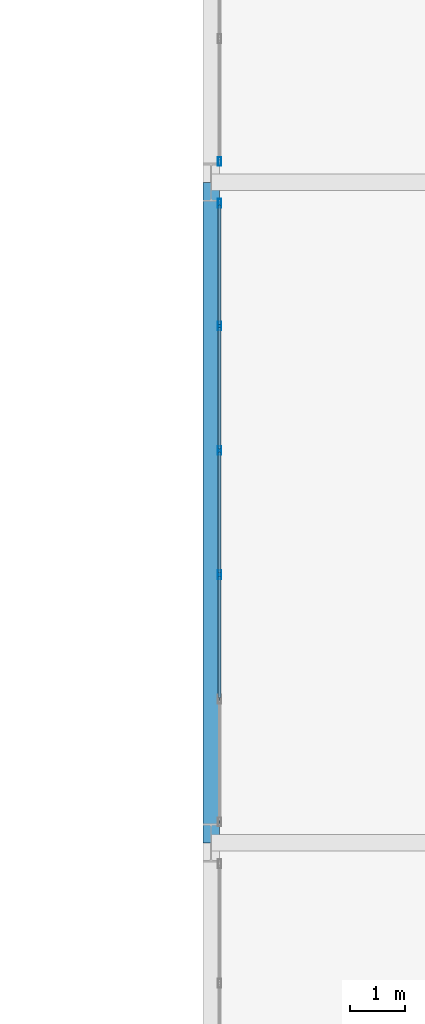
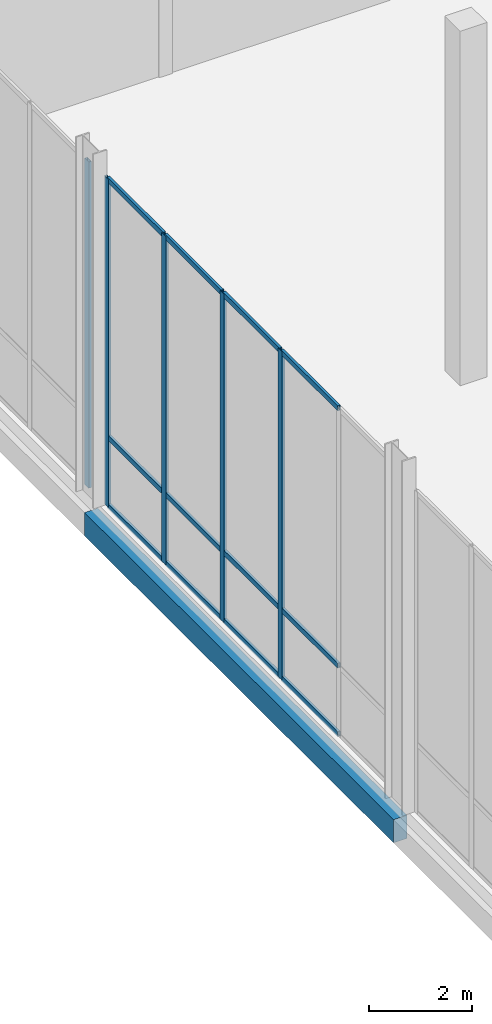
# One storey, part 41 of 131: 17 members, 1 beam, 2 elements without a shape of their own.
"""IFC4 building model written with IfcOpenShell, lengths in metres."""

from ifc_helpers import new_model, si_unit, direction, frame, origin, origin_2d, place, context, subcontext, project, spatial, rectangle, hollow_rectangle, extrude, material, material_profile, profile_set, type_object, element, aggregate, save


model = new_model("IFC4")

# Units and contexts
model_context = context("Model", 3, precision=1e-05, world=origin(), true_north=direction((0.0, 1.0)))
body_context = subcontext(model_context, "Body", "Model", "MODEL_VIEW")
ifc_project = project(units=[si_unit("LENGTHUNIT", "METRE"), si_unit("AREAUNIT", "SQUARE_METRE"), si_unit("VOLUMEUNIT", "CUBIC_METRE"), si_unit("PLANEANGLEUNIT", "RADIAN"), si_unit("MASSUNIT", "GRAM", prefix="KILO")], contexts=[model_context])

# Site, building, storey
site_placement = place(None, origin())
site = spatial("IfcSite", under=ifc_project, at=site_placement, CompositionType="ELEMENT")
building_placement = place(site_placement, origin())
building = spatial("IfcBuilding", under=site, at=building_placement, Name="Veltarok Museum of Natural Sciences", CompositionType="ELEMENT")
storey_placement = place(building_placement, origin())
storey = spatial("IfcBuildingStorey", under=building, at=storey_placement, Name="L00", CompositionType="ELEMENT", Elevation=0.0)

# Curtain wall, members
ifc_material_1 = material(Name="Low-iron triple insulated glass", Category="glass")
curtain_wall_type_1 = type_object("IfcCurtainWallType", Name="Curtain Wall System CW-V5CW-L00-0-1130x778 (CW-V5CW L00 1130x778cm)", PredefinedType="NOTDEFINED", material=ifc_material_1)
curtain_wall_1_placement = place(storey_placement, origin())
curtain_wall_1 = element("IfcCurtainWall", 1, at=curtain_wall_1_placement, inside=storey, type_object=curtain_wall_type_1, Name="Curtain Wall CW-V5CW-L00-0-1130x778 CW-0172", PredefinedType="NOTDEFINED")
ifc_material_2 = material(Name="Thermally broken anodised aluminium", Category="aluminium")
ifc_material_profile_1 = material_profile(ifc_material_2, hollow_rectangle(XDim=0.06005859375, YDim=0.1201171875, WallThickness=0.0048828125, at=origin_2d()), Name="CW TRANSOM 60x120x5")
ifc_profile_set_1 = profile_set([ifc_material_profile_1], Name="Thermally broken anodised aluminium")
member_type_1 = type_object("IfcMemberType", Name="Curtain Wall Horizontal Transom 60x120x5", PredefinedType="USERDEFINED", material=ifc_profile_set_1)
member_1_placement = place(storey_placement, frame((132.550048828125, 50.639892578125, 0.028076171875), z_axis=(0.0, 1.0, 0.0), x_axis=(-1.0, 0.0, 0.0)))
member_1 = element("IfcMember", 2, at=member_1_placement, type_object=member_type_1, Name="CW-V5CW-L00-0-1130x778 transom 2.1", ObjectType="TRANSOM", PredefinedType="USERDEFINED", context=body_context, shape_type="SweptSolid", body=[
    extrude(hollow_rectangle(XDim=0.06005859375, YDim=0.1201171875, WallThickness=0.0048828125, at=origin_2d()), origin(), (0.0, 0.0, 1.0), 2.2001953125),
])
member_2_placement = place(storey_placement, frame((132.550048828125, 50.639892578125, 1.64794921875), z_axis=(0.0, 1.0, 0.0), x_axis=(-1.0, 0.0, 0.0)))
member_2 = element("IfcMember", 3, at=member_2_placement, type_object=member_type_1, Name="CW-V5CW-L00-0-1130x778 transom 2.2", ObjectType="TRANSOM", PredefinedType="USERDEFINED", context=body_context, shape_type="SweptSolid", body=[
    extrude(hollow_rectangle(XDim=0.06005859375, YDim=0.1201171875, WallThickness=0.0048828125, at=origin_2d()), origin(), (0.0, 0.0, 1.0), 2.2001953125),
])
member_3_placement = place(storey_placement, frame((132.550048828125, 50.639892578125, 7.75), z_axis=(0.0, 1.0, 0.0), x_axis=(-1.0, 0.0, 0.0)))
member_3 = element("IfcMember", 4, at=member_3_placement, type_object=member_type_1, Name="CW-V5CW-L00-0-1130x778 transom 2.3", ObjectType="TRANSOM", PredefinedType="USERDEFINED", context=body_context, shape_type="SweptSolid", body=[
    extrude(hollow_rectangle(XDim=0.06005859375, YDim=0.1201171875, WallThickness=0.0048828125, at=origin_2d()), origin(), (0.0, 0.0, 1.0), 2.2001953125),
])
member_4_placement = place(storey_placement, frame((132.550048828125, 52.89990234375, 0.028076171875), z_axis=(0.0, 1.0, 0.0), x_axis=(-1.0, 0.0, 0.0)))
member_4 = element("IfcMember", 5, at=member_4_placement, type_object=member_type_1, Name="CW-V5CW-L00-0-1130x778 transom 3.1", ObjectType="TRANSOM", PredefinedType="USERDEFINED", context=body_context, shape_type="SweptSolid", body=[
    extrude(hollow_rectangle(XDim=0.06005859375, YDim=0.1201171875, WallThickness=0.0048828125, at=origin_2d()), origin(), (0.0, 0.0, 1.0), 2.2001953125),
])
member_5_placement = place(storey_placement, frame((132.550048828125, 52.89990234375, 1.64794921875), z_axis=(0.0, 1.0, 0.0), x_axis=(-1.0, 0.0, 0.0)))
member_5 = element("IfcMember", 6, at=member_5_placement, type_object=member_type_1, Name="CW-V5CW-L00-0-1130x778 transom 3.2", ObjectType="TRANSOM", PredefinedType="USERDEFINED", context=body_context, shape_type="SweptSolid", body=[
    extrude(hollow_rectangle(XDim=0.06005859375, YDim=0.1201171875, WallThickness=0.0048828125, at=origin_2d()), origin(), (0.0, 0.0, 1.0), 2.2001953125),
])
member_6_placement = place(storey_placement, frame((132.550048828125, 52.89990234375, 7.75), z_axis=(0.0, 1.0, 0.0), x_axis=(-1.0, 0.0, 0.0)))
member_6 = element("IfcMember", 7, at=member_6_placement, type_object=member_type_1, Name="CW-V5CW-L00-0-1130x778 transom 3.3", ObjectType="TRANSOM", PredefinedType="USERDEFINED", context=body_context, shape_type="SweptSolid", body=[
    extrude(hollow_rectangle(XDim=0.06005859375, YDim=0.1201171875, WallThickness=0.0048828125, at=origin_2d()), origin(), (0.0, 0.0, 1.0), 2.2001953125),
])
member_7_placement = place(storey_placement, frame((132.550048828125, 55.159912109375, 0.028076171875), z_axis=(0.0, 1.0, 0.0), x_axis=(-1.0, 0.0, 0.0)))
member_7 = element("IfcMember", 8, at=member_7_placement, type_object=member_type_1, Name="CW-V5CW-L00-0-1130x778 transom 4.1", ObjectType="TRANSOM", PredefinedType="USERDEFINED", context=body_context, shape_type="SweptSolid", body=[
    extrude(hollow_rectangle(XDim=0.06005859375, YDim=0.1201171875, WallThickness=0.0048828125, at=origin_2d()), origin(), (0.0, 0.0, 1.0), 2.2001953125),
])
member_8_placement = place(storey_placement, frame((132.550048828125, 55.159912109375, 1.64794921875), z_axis=(0.0, 1.0, 0.0), x_axis=(-1.0, 0.0, 0.0)))
member_8 = element("IfcMember", 9, at=member_8_placement, type_object=member_type_1, Name="CW-V5CW-L00-0-1130x778 transom 4.2", ObjectType="TRANSOM", PredefinedType="USERDEFINED", context=body_context, shape_type="SweptSolid", body=[
    extrude(hollow_rectangle(XDim=0.06005859375, YDim=0.1201171875, WallThickness=0.0048828125, at=origin_2d()), origin(), (0.0, 0.0, 1.0), 2.2001953125),
])
member_9_placement = place(storey_placement, frame((132.550048828125, 55.159912109375, 7.75), z_axis=(0.0, 1.0, 0.0), x_axis=(-1.0, 0.0, 0.0)))
member_9 = element("IfcMember", 10, at=member_9_placement, type_object=member_type_1, Name="CW-V5CW-L00-0-1130x778 transom 4.3", ObjectType="TRANSOM", PredefinedType="USERDEFINED", context=body_context, shape_type="SweptSolid", body=[
    extrude(hollow_rectangle(XDim=0.06005859375, YDim=0.1201171875, WallThickness=0.0048828125, at=origin_2d()), origin(), (0.0, 0.0, 1.0), 2.2001953125),
])
member_10_placement = place(storey_placement, frame((132.550048828125, 57.419921875, 0.028076171875), z_axis=(0.0, 1.0, 0.0), x_axis=(-1.0, 0.0, 0.0)))
member_10 = element("IfcMember", 11, at=member_10_placement, type_object=member_type_1, Name="CW-V5CW-L00-0-1130x778 transom 5.1", ObjectType="TRANSOM", PredefinedType="USERDEFINED", context=body_context, shape_type="SweptSolid", body=[
    extrude(hollow_rectangle(XDim=0.06005859375, YDim=0.1201171875, WallThickness=0.0048828125, at=origin_2d()), origin(), (0.0, 0.0, 1.0), 2.170166015625),
])
member_11_placement = place(storey_placement, frame((132.550048828125, 57.419921875, 1.64794921875), z_axis=(0.0, 1.0, 0.0), x_axis=(-1.0, 0.0, 0.0)))
member_11 = element("IfcMember", 12, at=member_11_placement, type_object=member_type_1, Name="CW-V5CW-L00-0-1130x778 transom 5.2", ObjectType="TRANSOM", PredefinedType="USERDEFINED", context=body_context, shape_type="SweptSolid", body=[
    extrude(hollow_rectangle(XDim=0.06005859375, YDim=0.1201171875, WallThickness=0.0048828125, at=origin_2d()), origin(), (0.0, 0.0, 1.0), 2.170166015625),
])
member_12_placement = place(storey_placement, frame((132.550048828125, 57.419921875, 7.75), z_axis=(0.0, 1.0, 0.0), x_axis=(-1.0, 0.0, 0.0)))
member_12 = element("IfcMember", 13, at=member_12_placement, type_object=member_type_1, Name="CW-V5CW-L00-0-1130x778 transom 5.3", ObjectType="TRANSOM", PredefinedType="USERDEFINED", context=body_context, shape_type="SweptSolid", body=[
    extrude(hollow_rectangle(XDim=0.06005859375, YDim=0.1201171875, WallThickness=0.0048828125, at=origin_2d()), origin(), (0.0, 0.0, 1.0), 2.170166015625),
])
ifc_material_profile_2 = material_profile(ifc_material_2, hollow_rectangle(XDim=0.06005859375, YDim=0.159912109375, WallThickness=0.0048828125, at=origin_2d()), Name="CW MULLION 60x160x5")
ifc_profile_set_2 = profile_set([ifc_material_profile_2], Name="Thermally broken anodised aluminium")
member_type_2 = type_object("IfcMemberType", Name="Curtain Wall Vertical Mullion 60x160x5", PredefinedType="MULLION", material=ifc_profile_set_2)
member_13_placement = place(storey_placement, frame((132.550048828125, 52.8701171875, -0.001953125), z_axis=(0.0, 0.0, 1.0), x_axis=(-1.0, 0.0, 0.0)))
member_13 = element("IfcMember", 14, at=member_13_placement, type_object=member_type_2, Name="CW-V5CW-L00-0-1130x778 mullion 3", PredefinedType="MULLION", context=body_context, shape_type="SweptSolid", body=[
    extrude(hollow_rectangle(XDim=0.06005859375, YDim=0.159912109375, WallThickness=0.0048828125, at=origin_2d()), origin(), (0.0, 0.0, 1.0), 7.781982421875),
])
member_14_placement = place(storey_placement, frame((132.550048828125, 55.1298828125, -0.001953125), z_axis=(0.0, 0.0, 1.0), x_axis=(-1.0, 0.0, 0.0)))
member_14 = element("IfcMember", 15, at=member_14_placement, type_object=member_type_2, Name="CW-V5CW-L00-0-1130x778 mullion 4", PredefinedType="MULLION", context=body_context, shape_type="SweptSolid", body=[
    extrude(hollow_rectangle(XDim=0.06005859375, YDim=0.159912109375, WallThickness=0.0048828125, at=origin_2d()), origin(), (0.0, 0.0, 1.0), 7.781982421875),
])
member_15_placement = place(storey_placement, frame((132.550048828125, 57.389892578125, -0.001953125), z_axis=(0.0, 0.0, 1.0), x_axis=(-1.0, 0.0, 0.0)))
member_15 = element("IfcMember", 16, at=member_15_placement, type_object=member_type_2, Name="CW-V5CW-L00-0-1130x778 mullion 5", PredefinedType="MULLION", context=body_context, shape_type="SweptSolid", body=[
    extrude(hollow_rectangle(XDim=0.06005859375, YDim=0.159912109375, WallThickness=0.0048828125, at=origin_2d()), origin(), (0.0, 0.0, 1.0), 7.781982421875),
])
member_16_placement = place(storey_placement, frame((132.550048828125, 59.6201171875, -0.001953125), z_axis=(0.0, 0.0, 1.0), x_axis=(-1.0, 0.0, 0.0)))
member_16 = element("IfcMember", 17, at=member_16_placement, type_object=member_type_2, Name="CW-V5CW-L00-0-1130x778 mullion 6", PredefinedType="MULLION", context=body_context, shape_type="SweptSolid", body=[
    extrude(hollow_rectangle(XDim=0.06005859375, YDim=0.159912109375, WallThickness=0.0048828125, at=origin_2d()), origin(), (0.0, 0.0, 1.0), 7.781982421875),
])
aggregate(curtain_wall_1, [member_13, member_14, member_15, member_16, member_1, member_2, member_3, member_4, member_5, member_6, member_7, member_8, member_9, member_10, member_11, member_12])

# Curtain wall, member
curtain_wall_type_2 = type_object("IfcCurtainWallType", Name="Curtain Wall System CW-V5CW-L00-1-1130x773 (CW-V5CW L00 1130x773cm)", PredefinedType="NOTDEFINED", material=ifc_material_1)
curtain_wall_2_placement = place(storey_placement, origin())
curtain_wall_2 = element("IfcCurtainWall", 18, at=curtain_wall_2_placement, inside=storey, type_object=curtain_wall_type_2, Name="Curtain Wall CW-V5CW-L00-1-1130x773 CW-0173", PredefinedType="NOTDEFINED")
member_17_placement = place(storey_placement, frame((132.550048828125, 60.3798828125, -0.001953125), z_axis=(0.0, 0.0, 1.0), x_axis=(-1.0, 0.0, 0.0)))
member_17 = element("IfcMember", 19, at=member_17_placement, type_object=member_type_2, Name="CW-V5CW-L00-1-1130x773 mullion 1", PredefinedType="MULLION", context=body_context, shape_type="SweptSolid", body=[
    extrude(hollow_rectangle(XDim=0.06005859375, YDim=0.159912109375, WallThickness=0.0048828125, at=origin_2d()), origin(), (0.0, 0.0, 1.0), 7.73193359375),
])
aggregate(curtain_wall_2, [member_17])

# Beam
ifc_material_3 = material(Name="Precast concrete C40/50", Category="concrete")
ifc_material_profile_3 = material_profile(ifc_material_3, rectangle(XDim=0.300048828125, YDim=0.550048828125, at=origin_2d()), Name="RC 300x550")
ifc_profile_set_3 = profile_set([ifc_material_profile_3], Name="Precast concrete C40/50")
beam_type = type_object("IfcBeamType", Name="East Wing Precast Spandrel RC 300x550", PredefinedType="SPANDREL", material=ifc_profile_set_3)
beam_placement = place(storey_placement, frame((132.39990234375, 48.0, -0.574951171875), z_axis=(0.0, 1.0, 0.0), x_axis=(-1.0, 0.0, 0.0)))
element("IfcBeam", 20, at=beam_placement, inside=storey, type_object=beam_type, Name="Beam BM-SP02 L00 16/F-G", PredefinedType="SPANDREL", context=body_context, shape_type="SweptSolid", body=[
    extrude(rectangle(XDim=0.300048828125, YDim=0.550048828125, at=origin_2d()), origin(), (0.0, 0.0, 1.0), 12.0),
])

save(model, "model.ifc")
